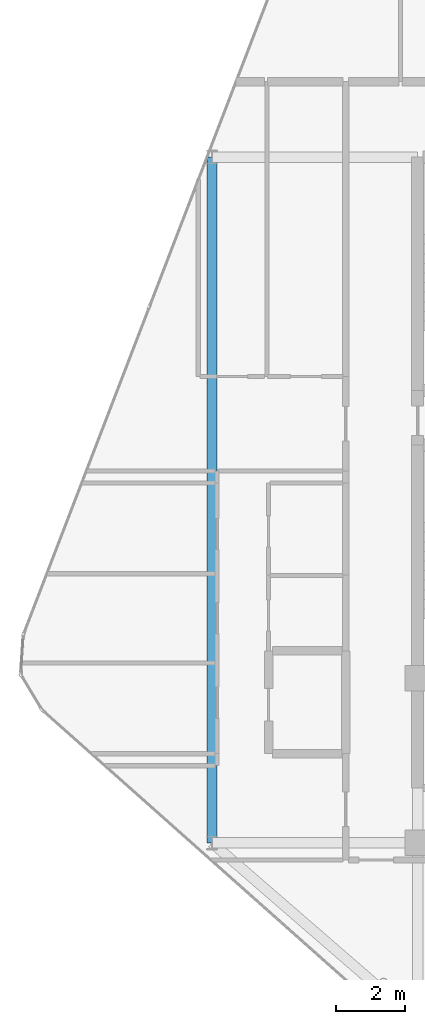
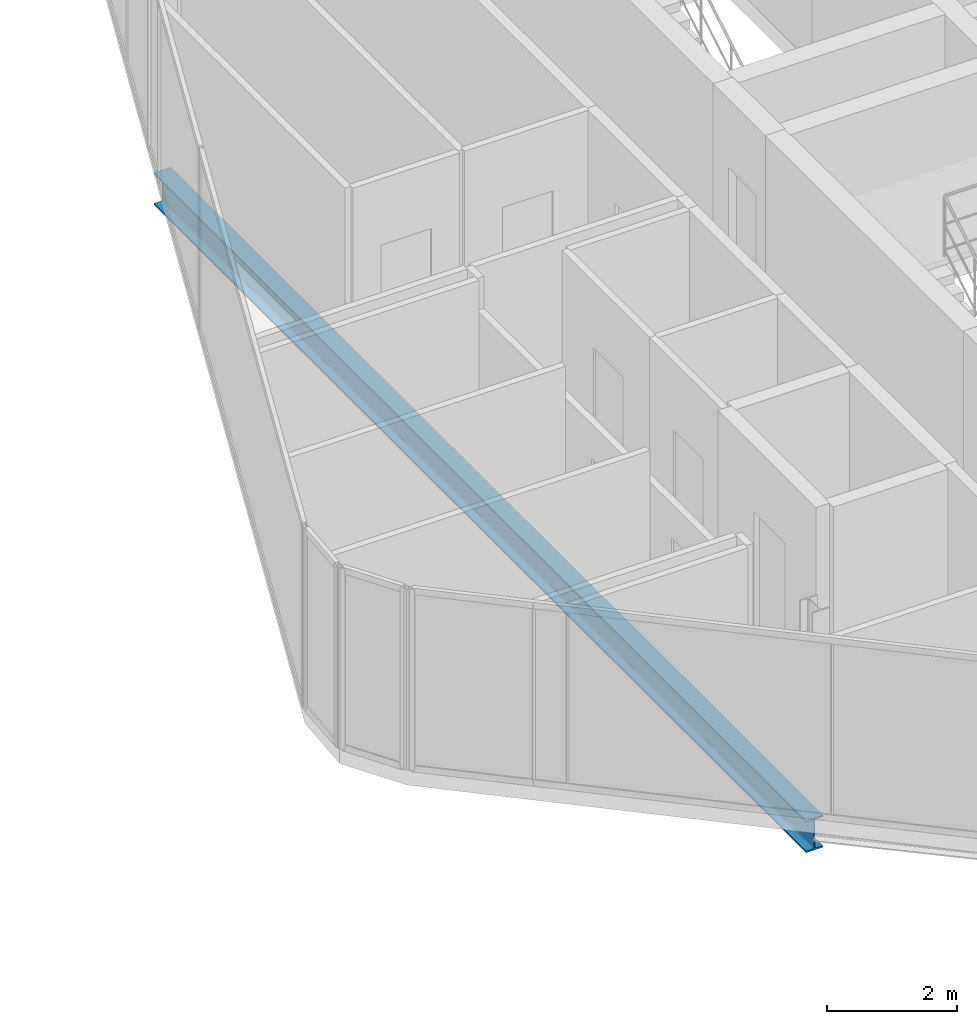
# One storey, part 9 of 27: 1 beam.
"""IFC4 building model written with IfcOpenShell, lengths in metres."""

from ifc_helpers import new_model, si_unit, direction, frame, origin, origin_2d, place, context, subcontext, project, spatial, i_section, extrude, material, material_profile, profile_set, type_object, element, save


model = new_model("IFC4")

# Units and contexts
model_context = context("Model", 3, precision=1e-05, world=origin(), true_north=direction((0.0, 1.0)))
body_context = subcontext(model_context, "Body", "Model", "MODEL_VIEW")
ifc_project = project(units=[si_unit("LENGTHUNIT", "METRE"), si_unit("AREAUNIT", "SQUARE_METRE"), si_unit("VOLUMEUNIT", "CUBIC_METRE"), si_unit("PLANEANGLEUNIT", "RADIAN"), si_unit("MASSUNIT", "GRAM", prefix="KILO")], contexts=[model_context])

# Site, building, storey
site_placement = place(None, origin())
site = spatial("IfcSite", under=ifc_project, at=site_placement, CompositionType="ELEMENT")
building_placement = place(site_placement, origin())
building = spatial("IfcBuilding", under=site, at=building_placement, Name="Keshet Zoharim Tower", CompositionType="ELEMENT")
storey_placement = place(building_placement, frame((0.0, 0.0, 254.699951171875)))
storey = spatial("IfcBuildingStorey", under=building, at=storey_placement, Name="L63", CompositionType="ELEMENT", Elevation=254.699951171875)

# Beam
ifc_material = material(Name="Steel S355", Category="steel")
ifc_material_profile = material_profile(ifc_material, i_section(OverallWidth=0.300048828125, OverallDepth=0.60009765625, WebThickness=0.015380859375, FlangeThickness=0.030029296875, FilletRadius=0.027099609375, at=origin_2d()), Name="HEB600")
ifc_profile_set = profile_set([ifc_material_profile], Name="Steel S355")
beam_type = type_object("IfcBeamType", Name="BM-LNG-HB600", PredefinedType="BEAM", material=ifc_profile_set)
beam_placement = place(storey_placement, frame((9.0, 17.89990234375, -0.60986328125), z_axis=(0.0, 1.0, 0.0), x_axis=(-1.0, 0.0, 0.0)))
element("IfcBeam", 1, at=beam_placement, inside=storey, type_object=beam_type, Name="L63 Primary Girder Y-001", PredefinedType="BEAM", context=body_context, shape_type="SweptSolid", body=[
    extrude(i_section(OverallWidth=0.300048828125, OverallDepth=0.60009765625, WebThickness=0.015380859375, FlangeThickness=0.030029296875, FilletRadius=0.027099609375, at=origin_2d()), origin(), (0.0, 0.0, 1.0), 20.0),
])

save(model, "model.ifc")
